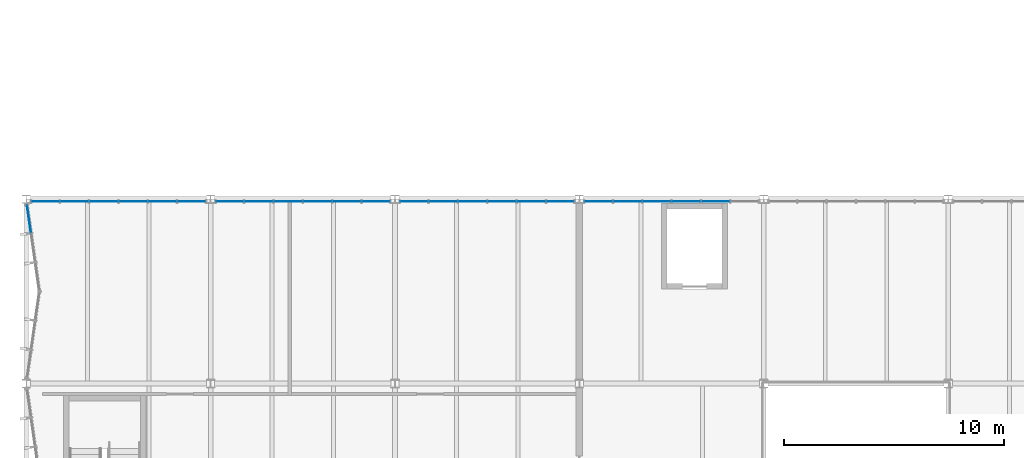
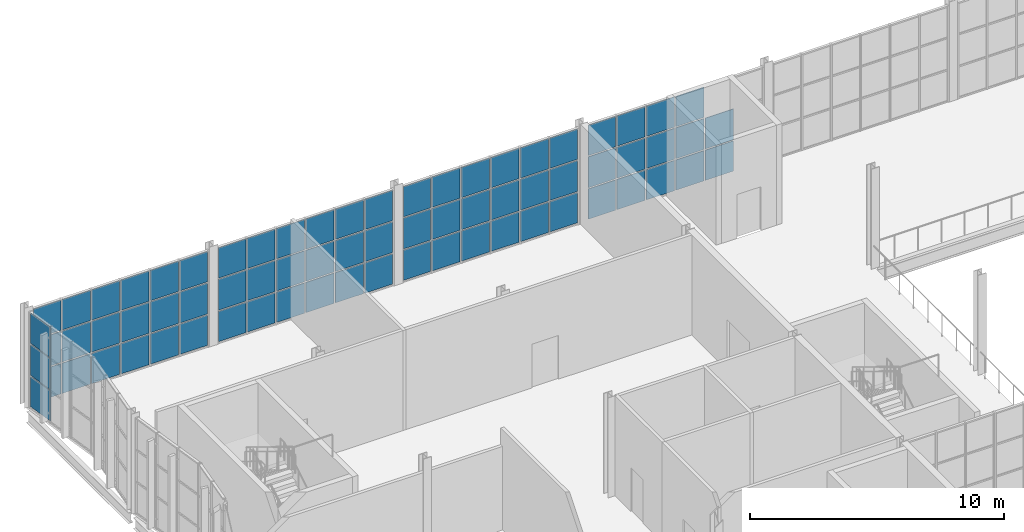
# One storey, part 61 of 127: 71 plates, 5 elements without a shape of their own.
"""IFC4 building model written with IfcOpenShell, lengths in metres."""

from ifc_helpers import new_model, si_unit, direction, frame, origin, origin_2d, place, context, subcontext, project, spatial, rectangle, extrude, material, layer, layer_set, type_object, element, aggregate, save


model = new_model("IFC4")

# Units and contexts
model_context = context("Model", 3, precision=1e-05, world=origin(), true_north=direction((0.0, 1.0)))
body_context = subcontext(model_context, "Body", "Model", "MODEL_VIEW")
ifc_project = project(units=[si_unit("LENGTHUNIT", "METRE"), si_unit("AREAUNIT", "SQUARE_METRE"), si_unit("VOLUMEUNIT", "CUBIC_METRE"), si_unit("PLANEANGLEUNIT", "RADIAN"), si_unit("MASSUNIT", "GRAM", prefix="KILO")], contexts=[model_context])

# Site, building, storey
site_placement = place(None, origin())
site = spatial("IfcSite", under=ifc_project, at=site_placement, CompositionType="ELEMENT")
building_placement = place(site_placement, origin())
building = spatial("IfcBuilding", under=site, at=building_placement, Name="Ljudholm Concert House", CompositionType="ELEMENT")
storey_placement = place(building_placement, frame((0.0, 0.0, 5.39990234375)))
storey = spatial("IfcBuildingStorey", under=building, at=storey_placement, Name="L01", CompositionType="ELEMENT", Elevation=5.39990234375)

# Curtain wall, plates
ifc_material_1 = material(Name="Aluminium curtain wall with impact-rated laminated glass", Category="aluminium")
curtain_wall_type = type_object("IfcCurtainWallType", Name="CURTAIN WALL 1400", PredefinedType="NOTDEFINED", material=ifc_material_1)
curtain_wall_1_placement = place(storey_placement, origin())
curtain_wall_1 = element("IfcCurtainWall", 1, at=curtain_wall_1_placement, inside=storey, type_object=curtain_wall_type, Name="Facade curtain wall", PredefinedType="NOTDEFINED")
ifc_material_2 = material(Name="Impact-rated laminated glass", Category="glass")
ifc_layer = layer(ifc_material_2, 0.028076171875)
ifc_layer_set = layer_set([ifc_layer], Name="Impact-rated laminated glass")
plate_type = type_object("IfcPlateType", Name="CURTAIN PANEL 28", PredefinedType="CURTAIN_PANEL", material=ifc_layer_set)
plate_1_placement = place(storey_placement, frame((4.1279296875, 129.103759765625, 0.06005859375), z_axis=(0.0, 0.0, 1.0), x_axis=(-0.141421356338, 0.989949493647, 0.0)))
plate_1 = element("IfcPlate", 2, at=plate_1_placement, type_object=plate_type, Name="Curtain wall panel", PredefinedType="CURTAIN_PANEL", context=body_context, shape_type="SweptSolid", body=[
    extrude(rectangle(XDim=1.2509765625, YDim=0.028076171875, at=origin_2d()), origin(), (0.0, 0.0, 1.0), 1.449951171875),
])
plate_2_placement = place(storey_placement, frame((4.1279296875, 129.103759765625, 1.570068359375), z_axis=(0.0, 0.0, 1.0), x_axis=(-0.141421356338, 0.989949493647, 0.0)))
plate_2 = element("IfcPlate", 3, at=plate_2_placement, type_object=plate_type, Name="Curtain wall panel", PredefinedType="CURTAIN_PANEL", context=body_context, shape_type="SweptSolid", body=[
    extrude(rectangle(XDim=1.2509765625, YDim=0.028076171875, at=origin_2d()), origin(), (0.0, 0.0, 1.0), 1.47998046875),
])
plate_3_placement = place(storey_placement, frame((4.1279296875, 129.103759765625, 3.1103515625), z_axis=(0.0, 0.0, 1.0), x_axis=(-0.141421356338, 0.989949493647, 0.0)))
plate_3 = element("IfcPlate", 4, at=plate_3_placement, type_object=plate_type, Name="Curtain wall panel", PredefinedType="CURTAIN_PANEL", context=body_context, shape_type="SweptSolid", body=[
    extrude(rectangle(XDim=1.2509765625, YDim=0.028076171875, at=origin_2d()), origin(), (0.0, 0.0, 1.0), 1.449951171875),
])
aggregate(curtain_wall_1, [plate_1, plate_2, plate_3])

curtain_wall_2_placement = place(storey_placement, origin())
curtain_wall_2 = element("IfcCurtainWall", 5, at=curtain_wall_2_placement, inside=storey, type_object=curtain_wall_type, Name="North curtain wall", PredefinedType="NOTDEFINED")
plate_4_placement = place(storey_placement, frame((4.87060546875, 129.89990234375, 0.06005859375), z_axis=(0.0, 0.0, 1.0), x_axis=(1.0, 0.0, 0.0)))
plate_4 = element("IfcPlate", 6, at=plate_4_placement, type_object=plate_type, Name="Curtain wall panel", PredefinedType="CURTAIN_PANEL", context=body_context, shape_type="SweptSolid", body=[
    extrude(rectangle(XDim=1.247802734375, YDim=0.028076171875, at=origin_2d()), origin(), (0.0, 0.0, 1.0), 1.449951171875),
])
plate_5_placement = place(storey_placement, frame((4.87060546875, 129.89990234375, 1.570068359375), z_axis=(0.0, 0.0, 1.0), x_axis=(1.0, 0.0, 0.0)))
plate_5 = element("IfcPlate", 7, at=plate_5_placement, type_object=plate_type, Name="Curtain wall panel", PredefinedType="CURTAIN_PANEL", context=body_context, shape_type="SweptSolid", body=[
    extrude(rectangle(XDim=1.247802734375, YDim=0.028076171875, at=origin_2d()), origin(), (0.0, 0.0, 1.0), 1.47998046875),
])
plate_6_placement = place(storey_placement, frame((4.87060546875, 129.89990234375, 3.1103515625), z_axis=(0.0, 0.0, 1.0), x_axis=(1.0, 0.0, 0.0)))
plate_6 = element("IfcPlate", 8, at=plate_6_placement, type_object=plate_type, Name="Curtain wall panel", PredefinedType="CURTAIN_PANEL", context=body_context, shape_type="SweptSolid", body=[
    extrude(rectangle(XDim=1.247802734375, YDim=0.028076171875, at=origin_2d()), origin(), (0.0, 0.0, 1.0), 1.449951171875),
])
plate_7_placement = place(storey_placement, frame((6.193359375, 129.89990234375, 0.06005859375), z_axis=(0.0, 0.0, 1.0), x_axis=(1.0, 0.0, 0.0)))
plate_7 = element("IfcPlate", 9, at=plate_7_placement, type_object=plate_type, Name="Curtain wall panel", PredefinedType="CURTAIN_PANEL", context=body_context, shape_type="SweptSolid", body=[
    extrude(rectangle(XDim=1.27783203125, YDim=0.028076171875, at=origin_2d()), origin(), (0.0, 0.0, 1.0), 1.449951171875),
])
plate_8_placement = place(storey_placement, frame((6.193359375, 129.89990234375, 1.570068359375), z_axis=(0.0, 0.0, 1.0), x_axis=(1.0, 0.0, 0.0)))
plate_8 = element("IfcPlate", 10, at=plate_8_placement, type_object=plate_type, Name="Curtain wall panel", PredefinedType="CURTAIN_PANEL", context=body_context, shape_type="SweptSolid", body=[
    extrude(rectangle(XDim=1.27783203125, YDim=0.028076171875, at=origin_2d()), origin(), (0.0, 0.0, 1.0), 1.47998046875),
])
plate_9_placement = place(storey_placement, frame((6.193359375, 129.89990234375, 3.1103515625), z_axis=(0.0, 0.0, 1.0), x_axis=(1.0, 0.0, 0.0)))
plate_9 = element("IfcPlate", 11, at=plate_9_placement, type_object=plate_type, Name="Curtain wall panel", PredefinedType="CURTAIN_PANEL", context=body_context, shape_type="SweptSolid", body=[
    extrude(rectangle(XDim=1.27783203125, YDim=0.028076171875, at=origin_2d()), origin(), (0.0, 0.0, 1.0), 1.449951171875),
])
plate_10_placement = place(storey_placement, frame((7.531005859375, 129.89990234375, 0.06005859375), z_axis=(0.0, 0.0, 1.0), x_axis=(1.0, 0.0, 0.0)))
plate_10 = element("IfcPlate", 12, at=plate_10_placement, type_object=plate_type, Name="Curtain wall panel", PredefinedType="CURTAIN_PANEL", context=body_context, shape_type="SweptSolid", body=[
    extrude(rectangle(XDim=1.27783203125, YDim=0.028076171875, at=origin_2d()), origin(), (0.0, 0.0, 1.0), 1.449951171875),
])
plate_11_placement = place(storey_placement, frame((7.531005859375, 129.89990234375, 1.570068359375), z_axis=(0.0, 0.0, 1.0), x_axis=(1.0, 0.0, 0.0)))
plate_11 = element("IfcPlate", 13, at=plate_11_placement, type_object=plate_type, Name="Curtain wall panel", PredefinedType="CURTAIN_PANEL", context=body_context, shape_type="SweptSolid", body=[
    extrude(rectangle(XDim=1.27783203125, YDim=0.028076171875, at=origin_2d()), origin(), (0.0, 0.0, 1.0), 1.47998046875),
])
plate_12_placement = place(storey_placement, frame((7.531005859375, 129.89990234375, 3.1103515625), z_axis=(0.0, 0.0, 1.0), x_axis=(1.0, 0.0, 0.0)))
plate_12 = element("IfcPlate", 14, at=plate_12_placement, type_object=plate_type, Name="Curtain wall panel", PredefinedType="CURTAIN_PANEL", context=body_context, shape_type="SweptSolid", body=[
    extrude(rectangle(XDim=1.27783203125, YDim=0.028076171875, at=origin_2d()), origin(), (0.0, 0.0, 1.0), 1.449951171875),
])
plate_13_placement = place(storey_placement, frame((8.868896484375, 129.89990234375, 0.06005859375), z_axis=(0.0, 0.0, 1.0), x_axis=(1.0, 0.0, 0.0)))
plate_13 = element("IfcPlate", 15, at=plate_13_placement, type_object=plate_type, Name="Curtain wall panel", PredefinedType="CURTAIN_PANEL", context=body_context, shape_type="SweptSolid", body=[
    extrude(rectangle(XDim=1.27783203125, YDim=0.028076171875, at=origin_2d()), origin(), (0.0, 0.0, 1.0), 1.449951171875),
])
plate_14_placement = place(storey_placement, frame((8.868896484375, 129.89990234375, 1.570068359375), z_axis=(0.0, 0.0, 1.0), x_axis=(1.0, 0.0, 0.0)))
plate_14 = element("IfcPlate", 16, at=plate_14_placement, type_object=plate_type, Name="Curtain wall panel", PredefinedType="CURTAIN_PANEL", context=body_context, shape_type="SweptSolid", body=[
    extrude(rectangle(XDim=1.27783203125, YDim=0.028076171875, at=origin_2d()), origin(), (0.0, 0.0, 1.0), 1.47998046875),
])
plate_15_placement = place(storey_placement, frame((8.868896484375, 129.89990234375, 3.1103515625), z_axis=(0.0, 0.0, 1.0), x_axis=(1.0, 0.0, 0.0)))
plate_15 = element("IfcPlate", 17, at=plate_15_placement, type_object=plate_type, Name="Curtain wall panel", PredefinedType="CURTAIN_PANEL", context=body_context, shape_type="SweptSolid", body=[
    extrude(rectangle(XDim=1.27783203125, YDim=0.028076171875, at=origin_2d()), origin(), (0.0, 0.0, 1.0), 1.449951171875),
])
plate_16_placement = place(storey_placement, frame((10.20654296875, 129.89990234375, 0.06005859375), z_axis=(0.0, 0.0, 1.0), x_axis=(1.0, 0.0, 0.0)))
plate_16 = element("IfcPlate", 18, at=plate_16_placement, type_object=plate_type, Name="Curtain wall panel", PredefinedType="CURTAIN_PANEL", context=body_context, shape_type="SweptSolid", body=[
    extrude(rectangle(XDim=1.27783203125, YDim=0.028076171875, at=origin_2d()), origin(), (0.0, 0.0, 1.0), 1.449951171875),
])
plate_17_placement = place(storey_placement, frame((10.20654296875, 129.89990234375, 1.570068359375), z_axis=(0.0, 0.0, 1.0), x_axis=(1.0, 0.0, 0.0)))
plate_17 = element("IfcPlate", 19, at=plate_17_placement, type_object=plate_type, Name="Curtain wall panel", PredefinedType="CURTAIN_PANEL", context=body_context, shape_type="SweptSolid", body=[
    extrude(rectangle(XDim=1.27783203125, YDim=0.028076171875, at=origin_2d()), origin(), (0.0, 0.0, 1.0), 1.47998046875),
])
plate_18_placement = place(storey_placement, frame((10.20654296875, 129.89990234375, 3.1103515625), z_axis=(0.0, 0.0, 1.0), x_axis=(1.0, 0.0, 0.0)))
plate_18 = element("IfcPlate", 20, at=plate_18_placement, type_object=plate_type, Name="Curtain wall panel", PredefinedType="CURTAIN_PANEL", context=body_context, shape_type="SweptSolid", body=[
    extrude(rectangle(XDim=1.27783203125, YDim=0.028076171875, at=origin_2d()), origin(), (0.0, 0.0, 1.0), 1.449951171875),
])
plate_19_placement = place(storey_placement, frame((11.529541015625, 129.89990234375, 0.06005859375), z_axis=(0.0, 0.0, 1.0), x_axis=(1.0, 0.0, 0.0)))
plate_19 = element("IfcPlate", 21, at=plate_19_placement, type_object=plate_type, Name="Curtain wall panel", PredefinedType="CURTAIN_PANEL", context=body_context, shape_type="SweptSolid", body=[
    extrude(rectangle(XDim=1.247802734375, YDim=0.028076171875, at=origin_2d()), origin(), (0.0, 0.0, 1.0), 1.449951171875),
])
plate_20_placement = place(storey_placement, frame((11.529541015625, 129.89990234375, 1.570068359375), z_axis=(0.0, 0.0, 1.0), x_axis=(1.0, 0.0, 0.0)))
plate_20 = element("IfcPlate", 22, at=plate_20_placement, type_object=plate_type, Name="Curtain wall panel", PredefinedType="CURTAIN_PANEL", context=body_context, shape_type="SweptSolid", body=[
    extrude(rectangle(XDim=1.247802734375, YDim=0.028076171875, at=origin_2d()), origin(), (0.0, 0.0, 1.0), 1.47998046875),
])
plate_21_placement = place(storey_placement, frame((11.529541015625, 129.89990234375, 3.1103515625), z_axis=(0.0, 0.0, 1.0), x_axis=(1.0, 0.0, 0.0)))
plate_21 = element("IfcPlate", 23, at=plate_21_placement, type_object=plate_type, Name="Curtain wall panel", PredefinedType="CURTAIN_PANEL", context=body_context, shape_type="SweptSolid", body=[
    extrude(rectangle(XDim=1.247802734375, YDim=0.028076171875, at=origin_2d()), origin(), (0.0, 0.0, 1.0), 1.449951171875),
])
aggregate(curtain_wall_2, [plate_4, plate_5, plate_6, plate_7, plate_8, plate_9, plate_10, plate_11, plate_12, plate_13, plate_14, plate_15, plate_16, plate_17, plate_18, plate_19, plate_20, plate_21])

curtain_wall_3_placement = place(storey_placement, origin())
curtain_wall_3 = element("IfcCurtainWall", 24, at=curtain_wall_3_placement, inside=storey, type_object=curtain_wall_type, Name="North curtain wall", PredefinedType="NOTDEFINED")
plate_22_placement = place(storey_placement, frame((13.2705078125, 129.89990234375, 0.06005859375), z_axis=(0.0, 0.0, 1.0), x_axis=(1.0, 0.0, 0.0)))
plate_22 = element("IfcPlate", 25, at=plate_22_placement, type_object=plate_type, Name="Curtain wall panel", PredefinedType="CURTAIN_PANEL", context=body_context, shape_type="SweptSolid", body=[
    extrude(rectangle(XDim=1.247802734375, YDim=0.028076171875, at=origin_2d()), origin(), (0.0, 0.0, 1.0), 1.449951171875),
])
plate_23_placement = place(storey_placement, frame((13.2705078125, 129.89990234375, 1.570068359375), z_axis=(0.0, 0.0, 1.0), x_axis=(1.0, 0.0, 0.0)))
plate_23 = element("IfcPlate", 26, at=plate_23_placement, type_object=plate_type, Name="Curtain wall panel", PredefinedType="CURTAIN_PANEL", context=body_context, shape_type="SweptSolid", body=[
    extrude(rectangle(XDim=1.247802734375, YDim=0.028076171875, at=origin_2d()), origin(), (0.0, 0.0, 1.0), 1.47998046875),
])
plate_24_placement = place(storey_placement, frame((13.2705078125, 129.89990234375, 3.1103515625), z_axis=(0.0, 0.0, 1.0), x_axis=(1.0, 0.0, 0.0)))
plate_24 = element("IfcPlate", 27, at=plate_24_placement, type_object=plate_type, Name="Curtain wall panel", PredefinedType="CURTAIN_PANEL", context=body_context, shape_type="SweptSolid", body=[
    extrude(rectangle(XDim=1.247802734375, YDim=0.028076171875, at=origin_2d()), origin(), (0.0, 0.0, 1.0), 1.449951171875),
])
plate_25_placement = place(storey_placement, frame((14.59326171875, 129.89990234375, 0.06005859375), z_axis=(0.0, 0.0, 1.0), x_axis=(1.0, 0.0, 0.0)))
plate_25 = element("IfcPlate", 28, at=plate_25_placement, type_object=plate_type, Name="Curtain wall panel", PredefinedType="CURTAIN_PANEL", context=body_context, shape_type="SweptSolid", body=[
    extrude(rectangle(XDim=1.27783203125, YDim=0.028076171875, at=origin_2d()), origin(), (0.0, 0.0, 1.0), 1.449951171875),
])
plate_26_placement = place(storey_placement, frame((14.59326171875, 129.89990234375, 1.570068359375), z_axis=(0.0, 0.0, 1.0), x_axis=(1.0, 0.0, 0.0)))
plate_26 = element("IfcPlate", 29, at=plate_26_placement, type_object=plate_type, Name="Curtain wall panel", PredefinedType="CURTAIN_PANEL", context=body_context, shape_type="SweptSolid", body=[
    extrude(rectangle(XDim=1.27783203125, YDim=0.028076171875, at=origin_2d()), origin(), (0.0, 0.0, 1.0), 1.47998046875),
])
plate_27_placement = place(storey_placement, frame((14.59326171875, 129.89990234375, 3.1103515625), z_axis=(0.0, 0.0, 1.0), x_axis=(1.0, 0.0, 0.0)))
plate_27 = element("IfcPlate", 30, at=plate_27_placement, type_object=plate_type, Name="Curtain wall panel", PredefinedType="CURTAIN_PANEL", context=body_context, shape_type="SweptSolid", body=[
    extrude(rectangle(XDim=1.27783203125, YDim=0.028076171875, at=origin_2d()), origin(), (0.0, 0.0, 1.0), 1.449951171875),
])
plate_28_placement = place(storey_placement, frame((15.93115234375, 129.89990234375, 0.06005859375), z_axis=(0.0, 0.0, 1.0), x_axis=(1.0, 0.0, 0.0)))
plate_28 = element("IfcPlate", 31, at=plate_28_placement, type_object=plate_type, Name="Curtain wall panel", PredefinedType="CURTAIN_PANEL", context=body_context, shape_type="SweptSolid", body=[
    extrude(rectangle(XDim=1.27783203125, YDim=0.028076171875, at=origin_2d()), origin(), (0.0, 0.0, 1.0), 1.449951171875),
])
plate_29_placement = place(storey_placement, frame((15.93115234375, 129.89990234375, 1.570068359375), z_axis=(0.0, 0.0, 1.0), x_axis=(1.0, 0.0, 0.0)))
plate_29 = element("IfcPlate", 32, at=plate_29_placement, type_object=plate_type, Name="Curtain wall panel", PredefinedType="CURTAIN_PANEL", context=body_context, shape_type="SweptSolid", body=[
    extrude(rectangle(XDim=1.27783203125, YDim=0.028076171875, at=origin_2d()), origin(), (0.0, 0.0, 1.0), 1.47998046875),
])
plate_30_placement = place(storey_placement, frame((15.93115234375, 129.89990234375, 3.1103515625), z_axis=(0.0, 0.0, 1.0), x_axis=(1.0, 0.0, 0.0)))
plate_30 = element("IfcPlate", 33, at=plate_30_placement, type_object=plate_type, Name="Curtain wall panel", PredefinedType="CURTAIN_PANEL", context=body_context, shape_type="SweptSolid", body=[
    extrude(rectangle(XDim=1.27783203125, YDim=0.028076171875, at=origin_2d()), origin(), (0.0, 0.0, 1.0), 1.449951171875),
])
plate_31_placement = place(storey_placement, frame((17.268798828125, 129.89990234375, 0.06005859375), z_axis=(0.0, 0.0, 1.0), x_axis=(1.0, 0.0, 0.0)))
plate_31 = element("IfcPlate", 34, at=plate_31_placement, type_object=plate_type, Name="Curtain wall panel", PredefinedType="CURTAIN_PANEL", context=body_context, shape_type="SweptSolid", body=[
    extrude(rectangle(XDim=1.27783203125, YDim=0.028076171875, at=origin_2d()), origin(), (0.0, 0.0, 1.0), 1.449951171875),
])
plate_32_placement = place(storey_placement, frame((17.268798828125, 129.89990234375, 1.570068359375), z_axis=(0.0, 0.0, 1.0), x_axis=(1.0, 0.0, 0.0)))
plate_32 = element("IfcPlate", 35, at=plate_32_placement, type_object=plate_type, Name="Curtain wall panel", PredefinedType="CURTAIN_PANEL", context=body_context, shape_type="SweptSolid", body=[
    extrude(rectangle(XDim=1.27783203125, YDim=0.028076171875, at=origin_2d()), origin(), (0.0, 0.0, 1.0), 1.47998046875),
])
plate_33_placement = place(storey_placement, frame((17.268798828125, 129.89990234375, 3.1103515625), z_axis=(0.0, 0.0, 1.0), x_axis=(1.0, 0.0, 0.0)))
plate_33 = element("IfcPlate", 36, at=plate_33_placement, type_object=plate_type, Name="Curtain wall panel", PredefinedType="CURTAIN_PANEL", context=body_context, shape_type="SweptSolid", body=[
    extrude(rectangle(XDim=1.27783203125, YDim=0.028076171875, at=origin_2d()), origin(), (0.0, 0.0, 1.0), 1.449951171875),
])
plate_34_placement = place(storey_placement, frame((18.606689453125, 129.89990234375, 0.06005859375), z_axis=(0.0, 0.0, 1.0), x_axis=(1.0, 0.0, 0.0)))
plate_34 = element("IfcPlate", 37, at=plate_34_placement, type_object=plate_type, Name="Curtain wall panel", PredefinedType="CURTAIN_PANEL", context=body_context, shape_type="SweptSolid", body=[
    extrude(rectangle(XDim=1.27783203125, YDim=0.028076171875, at=origin_2d()), origin(), (0.0, 0.0, 1.0), 1.449951171875),
])
plate_35_placement = place(storey_placement, frame((18.606689453125, 129.89990234375, 1.570068359375), z_axis=(0.0, 0.0, 1.0), x_axis=(1.0, 0.0, 0.0)))
plate_35 = element("IfcPlate", 38, at=plate_35_placement, type_object=plate_type, Name="Curtain wall panel", PredefinedType="CURTAIN_PANEL", context=body_context, shape_type="SweptSolid", body=[
    extrude(rectangle(XDim=1.27783203125, YDim=0.028076171875, at=origin_2d()), origin(), (0.0, 0.0, 1.0), 1.47998046875),
])
plate_36_placement = place(storey_placement, frame((18.606689453125, 129.89990234375, 3.1103515625), z_axis=(0.0, 0.0, 1.0), x_axis=(1.0, 0.0, 0.0)))
plate_36 = element("IfcPlate", 39, at=plate_36_placement, type_object=plate_type, Name="Curtain wall panel", PredefinedType="CURTAIN_PANEL", context=body_context, shape_type="SweptSolid", body=[
    extrude(rectangle(XDim=1.27783203125, YDim=0.028076171875, at=origin_2d()), origin(), (0.0, 0.0, 1.0), 1.449951171875),
])
plate_37_placement = place(storey_placement, frame((19.929443359375, 129.89990234375, 0.06005859375), z_axis=(0.0, 0.0, 1.0), x_axis=(1.0, 0.0, 0.0)))
plate_37 = element("IfcPlate", 40, at=plate_37_placement, type_object=plate_type, Name="Curtain wall panel", PredefinedType="CURTAIN_PANEL", context=body_context, shape_type="SweptSolid", body=[
    extrude(rectangle(XDim=1.247802734375, YDim=0.028076171875, at=origin_2d()), origin(), (0.0, 0.0, 1.0), 1.449951171875),
])
plate_38_placement = place(storey_placement, frame((19.929443359375, 129.89990234375, 1.570068359375), z_axis=(0.0, 0.0, 1.0), x_axis=(1.0, 0.0, 0.0)))
plate_38 = element("IfcPlate", 41, at=plate_38_placement, type_object=plate_type, Name="Curtain wall panel", PredefinedType="CURTAIN_PANEL", context=body_context, shape_type="SweptSolid", body=[
    extrude(rectangle(XDim=1.247802734375, YDim=0.028076171875, at=origin_2d()), origin(), (0.0, 0.0, 1.0), 1.47998046875),
])
plate_39_placement = place(storey_placement, frame((19.929443359375, 129.89990234375, 3.1103515625), z_axis=(0.0, 0.0, 1.0), x_axis=(1.0, 0.0, 0.0)))
plate_39 = element("IfcPlate", 42, at=plate_39_placement, type_object=plate_type, Name="Curtain wall panel", PredefinedType="CURTAIN_PANEL", context=body_context, shape_type="SweptSolid", body=[
    extrude(rectangle(XDim=1.247802734375, YDim=0.028076171875, at=origin_2d()), origin(), (0.0, 0.0, 1.0), 1.449951171875),
])
aggregate(curtain_wall_3, [plate_22, plate_23, plate_24, plate_25, plate_26, plate_27, plate_28, plate_29, plate_30, plate_31, plate_32, plate_33, plate_34, plate_35, plate_36, plate_37, plate_38, plate_39])

curtain_wall_4_placement = place(storey_placement, origin())
curtain_wall_4 = element("IfcCurtainWall", 43, at=curtain_wall_4_placement, inside=storey, type_object=curtain_wall_type, Name="North curtain wall", PredefinedType="NOTDEFINED")
plate_40_placement = place(storey_placement, frame((21.670654296875, 129.89990234375, 0.06005859375), z_axis=(0.0, 0.0, 1.0), x_axis=(1.0, 0.0, 0.0)))
plate_40 = element("IfcPlate", 44, at=plate_40_placement, type_object=plate_type, Name="Curtain wall panel", PredefinedType="CURTAIN_PANEL", context=body_context, shape_type="SweptSolid", body=[
    extrude(rectangle(XDim=1.247802734375, YDim=0.028076171875, at=origin_2d()), origin(), (0.0, 0.0, 1.0), 1.449951171875),
])
plate_41_placement = place(storey_placement, frame((21.670654296875, 129.89990234375, 1.570068359375), z_axis=(0.0, 0.0, 1.0), x_axis=(1.0, 0.0, 0.0)))
plate_41 = element("IfcPlate", 45, at=plate_41_placement, type_object=plate_type, Name="Curtain wall panel", PredefinedType="CURTAIN_PANEL", context=body_context, shape_type="SweptSolid", body=[
    extrude(rectangle(XDim=1.247802734375, YDim=0.028076171875, at=origin_2d()), origin(), (0.0, 0.0, 1.0), 1.47998046875),
])
plate_42_placement = place(storey_placement, frame((21.670654296875, 129.89990234375, 3.1103515625), z_axis=(0.0, 0.0, 1.0), x_axis=(1.0, 0.0, 0.0)))
plate_42 = element("IfcPlate", 46, at=plate_42_placement, type_object=plate_type, Name="Curtain wall panel", PredefinedType="CURTAIN_PANEL", context=body_context, shape_type="SweptSolid", body=[
    extrude(rectangle(XDim=1.247802734375, YDim=0.028076171875, at=origin_2d()), origin(), (0.0, 0.0, 1.0), 1.449951171875),
])
plate_43_placement = place(storey_placement, frame((22.993408203125, 129.89990234375, 0.06005859375), z_axis=(0.0, 0.0, 1.0), x_axis=(1.0, 0.0, 0.0)))
plate_43 = element("IfcPlate", 47, at=plate_43_placement, type_object=plate_type, Name="Curtain wall panel", PredefinedType="CURTAIN_PANEL", context=body_context, shape_type="SweptSolid", body=[
    extrude(rectangle(XDim=1.27783203125, YDim=0.028076171875, at=origin_2d()), origin(), (0.0, 0.0, 1.0), 1.449951171875),
])
plate_44_placement = place(storey_placement, frame((22.993408203125, 129.89990234375, 1.570068359375), z_axis=(0.0, 0.0, 1.0), x_axis=(1.0, 0.0, 0.0)))
plate_44 = element("IfcPlate", 48, at=plate_44_placement, type_object=plate_type, Name="Curtain wall panel", PredefinedType="CURTAIN_PANEL", context=body_context, shape_type="SweptSolid", body=[
    extrude(rectangle(XDim=1.27783203125, YDim=0.028076171875, at=origin_2d()), origin(), (0.0, 0.0, 1.0), 1.47998046875),
])
plate_45_placement = place(storey_placement, frame((22.993408203125, 129.89990234375, 3.1103515625), z_axis=(0.0, 0.0, 1.0), x_axis=(1.0, 0.0, 0.0)))
plate_45 = element("IfcPlate", 49, at=plate_45_placement, type_object=plate_type, Name="Curtain wall panel", PredefinedType="CURTAIN_PANEL", context=body_context, shape_type="SweptSolid", body=[
    extrude(rectangle(XDim=1.27783203125, YDim=0.028076171875, at=origin_2d()), origin(), (0.0, 0.0, 1.0), 1.449951171875),
])
plate_46_placement = place(storey_placement, frame((24.3310546875, 129.89990234375, 0.06005859375), z_axis=(0.0, 0.0, 1.0), x_axis=(1.0, 0.0, 0.0)))
plate_46 = element("IfcPlate", 50, at=plate_46_placement, type_object=plate_type, Name="Curtain wall panel", PredefinedType="CURTAIN_PANEL", context=body_context, shape_type="SweptSolid", body=[
    extrude(rectangle(XDim=1.27783203125, YDim=0.028076171875, at=origin_2d()), origin(), (0.0, 0.0, 1.0), 1.449951171875),
])
plate_47_placement = place(storey_placement, frame((24.3310546875, 129.89990234375, 1.570068359375), z_axis=(0.0, 0.0, 1.0), x_axis=(1.0, 0.0, 0.0)))
plate_47 = element("IfcPlate", 51, at=plate_47_placement, type_object=plate_type, Name="Curtain wall panel", PredefinedType="CURTAIN_PANEL", context=body_context, shape_type="SweptSolid", body=[
    extrude(rectangle(XDim=1.27783203125, YDim=0.028076171875, at=origin_2d()), origin(), (0.0, 0.0, 1.0), 1.47998046875),
])
plate_48_placement = place(storey_placement, frame((24.3310546875, 129.89990234375, 3.1103515625), z_axis=(0.0, 0.0, 1.0), x_axis=(1.0, 0.0, 0.0)))
plate_48 = element("IfcPlate", 52, at=plate_48_placement, type_object=plate_type, Name="Curtain wall panel", PredefinedType="CURTAIN_PANEL", context=body_context, shape_type="SweptSolid", body=[
    extrude(rectangle(XDim=1.27783203125, YDim=0.028076171875, at=origin_2d()), origin(), (0.0, 0.0, 1.0), 1.449951171875),
])
plate_49_placement = place(storey_placement, frame((25.6689453125, 129.89990234375, 0.06005859375), z_axis=(0.0, 0.0, 1.0), x_axis=(1.0, 0.0, 0.0)))
plate_49 = element("IfcPlate", 53, at=plate_49_placement, type_object=plate_type, Name="Curtain wall panel", PredefinedType="CURTAIN_PANEL", context=body_context, shape_type="SweptSolid", body=[
    extrude(rectangle(XDim=1.27783203125, YDim=0.028076171875, at=origin_2d()), origin(), (0.0, 0.0, 1.0), 1.449951171875),
])
plate_50_placement = place(storey_placement, frame((25.6689453125, 129.89990234375, 1.570068359375), z_axis=(0.0, 0.0, 1.0), x_axis=(1.0, 0.0, 0.0)))
plate_50 = element("IfcPlate", 54, at=plate_50_placement, type_object=plate_type, Name="Curtain wall panel", PredefinedType="CURTAIN_PANEL", context=body_context, shape_type="SweptSolid", body=[
    extrude(rectangle(XDim=1.27783203125, YDim=0.028076171875, at=origin_2d()), origin(), (0.0, 0.0, 1.0), 1.47998046875),
])
plate_51_placement = place(storey_placement, frame((25.6689453125, 129.89990234375, 3.1103515625), z_axis=(0.0, 0.0, 1.0), x_axis=(1.0, 0.0, 0.0)))
plate_51 = element("IfcPlate", 55, at=plate_51_placement, type_object=plate_type, Name="Curtain wall panel", PredefinedType="CURTAIN_PANEL", context=body_context, shape_type="SweptSolid", body=[
    extrude(rectangle(XDim=1.27783203125, YDim=0.028076171875, at=origin_2d()), origin(), (0.0, 0.0, 1.0), 1.449951171875),
])
plate_52_placement = place(storey_placement, frame((27.006591796875, 129.89990234375, 0.06005859375), z_axis=(0.0, 0.0, 1.0), x_axis=(1.0, 0.0, 0.0)))
plate_52 = element("IfcPlate", 56, at=plate_52_placement, type_object=plate_type, Name="Curtain wall panel", PredefinedType="CURTAIN_PANEL", context=body_context, shape_type="SweptSolid", body=[
    extrude(rectangle(XDim=1.27783203125, YDim=0.028076171875, at=origin_2d()), origin(), (0.0, 0.0, 1.0), 1.449951171875),
])
plate_53_placement = place(storey_placement, frame((27.006591796875, 129.89990234375, 1.570068359375), z_axis=(0.0, 0.0, 1.0), x_axis=(1.0, 0.0, 0.0)))
plate_53 = element("IfcPlate", 57, at=plate_53_placement, type_object=plate_type, Name="Curtain wall panel", PredefinedType="CURTAIN_PANEL", context=body_context, shape_type="SweptSolid", body=[
    extrude(rectangle(XDim=1.27783203125, YDim=0.028076171875, at=origin_2d()), origin(), (0.0, 0.0, 1.0), 1.47998046875),
])
plate_54_placement = place(storey_placement, frame((27.006591796875, 129.89990234375, 3.1103515625), z_axis=(0.0, 0.0, 1.0), x_axis=(1.0, 0.0, 0.0)))
plate_54 = element("IfcPlate", 58, at=plate_54_placement, type_object=plate_type, Name="Curtain wall panel", PredefinedType="CURTAIN_PANEL", context=body_context, shape_type="SweptSolid", body=[
    extrude(rectangle(XDim=1.27783203125, YDim=0.028076171875, at=origin_2d()), origin(), (0.0, 0.0, 1.0), 1.449951171875),
])
plate_55_placement = place(storey_placement, frame((28.329345703125, 129.89990234375, 0.06005859375), z_axis=(0.0, 0.0, 1.0), x_axis=(1.0, 0.0, 0.0)))
plate_55 = element("IfcPlate", 59, at=plate_55_placement, type_object=plate_type, Name="Curtain wall panel", PredefinedType="CURTAIN_PANEL", context=body_context, shape_type="SweptSolid", body=[
    extrude(rectangle(XDim=1.247802734375, YDim=0.028076171875, at=origin_2d()), origin(), (0.0, 0.0, 1.0), 1.449951171875),
])
plate_56_placement = place(storey_placement, frame((28.329345703125, 129.89990234375, 1.570068359375), z_axis=(0.0, 0.0, 1.0), x_axis=(1.0, 0.0, 0.0)))
plate_56 = element("IfcPlate", 60, at=plate_56_placement, type_object=plate_type, Name="Curtain wall panel", PredefinedType="CURTAIN_PANEL", context=body_context, shape_type="SweptSolid", body=[
    extrude(rectangle(XDim=1.247802734375, YDim=0.028076171875, at=origin_2d()), origin(), (0.0, 0.0, 1.0), 1.47998046875),
])
plate_57_placement = place(storey_placement, frame((28.329345703125, 129.89990234375, 3.1103515625), z_axis=(0.0, 0.0, 1.0), x_axis=(1.0, 0.0, 0.0)))
plate_57 = element("IfcPlate", 61, at=plate_57_placement, type_object=plate_type, Name="Curtain wall panel", PredefinedType="CURTAIN_PANEL", context=body_context, shape_type="SweptSolid", body=[
    extrude(rectangle(XDim=1.247802734375, YDim=0.028076171875, at=origin_2d()), origin(), (0.0, 0.0, 1.0), 1.449951171875),
])
aggregate(curtain_wall_4, [plate_40, plate_41, plate_42, plate_43, plate_44, plate_45, plate_46, plate_47, plate_48, plate_49, plate_50, plate_51, plate_52, plate_53, plate_54, plate_55, plate_56, plate_57])

curtain_wall_5_placement = place(storey_placement, origin())
curtain_wall_5 = element("IfcCurtainWall", 62, at=curtain_wall_5_placement, inside=storey, type_object=curtain_wall_type, Name="North curtain wall", PredefinedType="NOTDEFINED")
plate_58_placement = place(storey_placement, frame((30.0732421875, 129.89990234375, 0.06005859375), z_axis=(0.0, 0.0, 1.0), x_axis=(1.0, 0.0, 0.0)))
plate_58 = element("IfcPlate", 63, at=plate_58_placement, type_object=plate_type, Name="Curtain wall panel", PredefinedType="CURTAIN_PANEL", context=body_context, shape_type="SweptSolid", body=[
    extrude(rectangle(XDim=1.24658203125, YDim=0.028076171875, at=origin_2d()), origin(), (0.0, 0.0, 1.0), 1.449951171875),
])
plate_59_placement = place(storey_placement, frame((30.0732421875, 129.89990234375, 1.570068359375), z_axis=(0.0, 0.0, 1.0), x_axis=(1.0, 0.0, 0.0)))
plate_59 = element("IfcPlate", 64, at=plate_59_placement, type_object=plate_type, Name="Curtain wall panel", PredefinedType="CURTAIN_PANEL", context=body_context, shape_type="SweptSolid", body=[
    extrude(rectangle(XDim=1.24658203125, YDim=0.028076171875, at=origin_2d()), origin(), (0.0, 0.0, 1.0), 1.47998046875),
])
plate_60_placement = place(storey_placement, frame((30.0732421875, 129.89990234375, 3.1103515625), z_axis=(0.0, 0.0, 1.0), x_axis=(1.0, 0.0, 0.0)))
plate_60 = element("IfcPlate", 65, at=plate_60_placement, type_object=plate_type, Name="Curtain wall panel", PredefinedType="CURTAIN_PANEL", context=body_context, shape_type="SweptSolid", body=[
    extrude(rectangle(XDim=1.24658203125, YDim=0.028076171875, at=origin_2d()), origin(), (0.0, 0.0, 1.0), 1.449951171875),
])
plate_61_placement = place(storey_placement, frame((31.39501953125, 129.89990234375, 0.06005859375), z_axis=(0.0, 0.0, 1.0), x_axis=(1.0, 0.0, 0.0)))
plate_61 = element("IfcPlate", 66, at=plate_61_placement, type_object=plate_type, Name="Curtain wall panel", PredefinedType="CURTAIN_PANEL", context=body_context, shape_type="SweptSolid", body=[
    extrude(rectangle(XDim=1.276611328125, YDim=0.028076171875, at=origin_2d()), origin(), (0.0, 0.0, 1.0), 1.449951171875),
])
plate_62_placement = place(storey_placement, frame((31.39501953125, 129.89990234375, 1.570068359375), z_axis=(0.0, 0.0, 1.0), x_axis=(1.0, 0.0, 0.0)))
plate_62 = element("IfcPlate", 67, at=plate_62_placement, type_object=plate_type, Name="Curtain wall panel", PredefinedType="CURTAIN_PANEL", context=body_context, shape_type="SweptSolid", body=[
    extrude(rectangle(XDim=1.276611328125, YDim=0.028076171875, at=origin_2d()), origin(), (0.0, 0.0, 1.0), 1.47998046875),
])
plate_63_placement = place(storey_placement, frame((31.39501953125, 129.89990234375, 3.1103515625), z_axis=(0.0, 0.0, 1.0), x_axis=(1.0, 0.0, 0.0)))
plate_63 = element("IfcPlate", 68, at=plate_63_placement, type_object=plate_type, Name="Curtain wall panel", PredefinedType="CURTAIN_PANEL", context=body_context, shape_type="SweptSolid", body=[
    extrude(rectangle(XDim=1.276611328125, YDim=0.028076171875, at=origin_2d()), origin(), (0.0, 0.0, 1.0), 1.449951171875),
])
plate_64_placement = place(storey_placement, frame((32.731689453125, 129.89990234375, 0.06005859375), z_axis=(0.0, 0.0, 1.0), x_axis=(1.0, 0.0, 0.0)))
plate_64 = element("IfcPlate", 69, at=plate_64_placement, type_object=plate_type, Name="Curtain wall panel", PredefinedType="CURTAIN_PANEL", context=body_context, shape_type="SweptSolid", body=[
    extrude(rectangle(XDim=1.276611328125, YDim=0.028076171875, at=origin_2d()), origin(), (0.0, 0.0, 1.0), 1.449951171875),
])
plate_65_placement = place(storey_placement, frame((32.731689453125, 129.89990234375, 1.570068359375), z_axis=(0.0, 0.0, 1.0), x_axis=(1.0, 0.0, 0.0)))
plate_65 = element("IfcPlate", 70, at=plate_65_placement, type_object=plate_type, Name="Curtain wall panel", PredefinedType="CURTAIN_PANEL", context=body_context, shape_type="SweptSolid", body=[
    extrude(rectangle(XDim=1.276611328125, YDim=0.028076171875, at=origin_2d()), origin(), (0.0, 0.0, 1.0), 1.47998046875),
])
plate_66_placement = place(storey_placement, frame((32.731689453125, 129.89990234375, 3.1103515625), z_axis=(0.0, 0.0, 1.0), x_axis=(1.0, 0.0, 0.0)))
plate_66 = element("IfcPlate", 71, at=plate_66_placement, type_object=plate_type, Name="Curtain wall panel", PredefinedType="CURTAIN_PANEL", context=body_context, shape_type="SweptSolid", body=[
    extrude(rectangle(XDim=1.276611328125, YDim=0.028076171875, at=origin_2d()), origin(), (0.0, 0.0, 1.0), 1.449951171875),
])
plate_67_placement = place(storey_placement, frame((34.068359375, 129.89990234375, 0.06005859375), z_axis=(0.0, 0.0, 1.0), x_axis=(1.0, 0.0, 0.0)))
plate_67 = element("IfcPlate", 72, at=plate_67_placement, type_object=plate_type, Name="Curtain wall panel", PredefinedType="CURTAIN_PANEL", context=body_context, shape_type="SweptSolid", body=[
    extrude(rectangle(XDim=1.276611328125, YDim=0.028076171875, at=origin_2d()), origin(), (0.0, 0.0, 1.0), 1.449951171875),
])
plate_68_placement = place(storey_placement, frame((34.068359375, 129.89990234375, 1.570068359375), z_axis=(0.0, 0.0, 1.0), x_axis=(1.0, 0.0, 0.0)))
plate_68 = element("IfcPlate", 73, at=plate_68_placement, type_object=plate_type, Name="Curtain wall panel", PredefinedType="CURTAIN_PANEL", context=body_context, shape_type="SweptSolid", body=[
    extrude(rectangle(XDim=1.276611328125, YDim=0.028076171875, at=origin_2d()), origin(), (0.0, 0.0, 1.0), 1.47998046875),
])
plate_69_placement = place(storey_placement, frame((34.068359375, 129.89990234375, 3.1103515625), z_axis=(0.0, 0.0, 1.0), x_axis=(1.0, 0.0, 0.0)))
plate_69 = element("IfcPlate", 74, at=plate_69_placement, type_object=plate_type, Name="Curtain wall panel", PredefinedType="CURTAIN_PANEL", context=body_context, shape_type="SweptSolid", body=[
    extrude(rectangle(XDim=1.276611328125, YDim=0.028076171875, at=origin_2d()), origin(), (0.0, 0.0, 1.0), 1.449951171875),
])
plate_70_placement = place(storey_placement, frame((35.405029296875, 129.89990234375, 0.06005859375), z_axis=(0.0, 0.0, 1.0), x_axis=(1.0, 0.0, 0.0)))
plate_70 = element("IfcPlate", 75, at=plate_70_placement, type_object=plate_type, Name="Curtain wall panel", PredefinedType="CURTAIN_PANEL", context=body_context, shape_type="SweptSolid", body=[
    extrude(rectangle(XDim=1.276611328125, YDim=0.028076171875, at=origin_2d()), origin(), (0.0, 0.0, 1.0), 1.449951171875),
])
plate_71_placement = place(storey_placement, frame((35.405029296875, 129.89990234375, 1.570068359375), z_axis=(0.0, 0.0, 1.0), x_axis=(1.0, 0.0, 0.0)))
plate_71 = element("IfcPlate", 76, at=plate_71_placement, type_object=plate_type, Name="Curtain wall panel", PredefinedType="CURTAIN_PANEL", context=body_context, shape_type="SweptSolid", body=[
    extrude(rectangle(XDim=1.276611328125, YDim=0.028076171875, at=origin_2d()), origin(), (0.0, 0.0, 1.0), 1.47998046875),
])
aggregate(curtain_wall_5, [plate_58, plate_59, plate_60, plate_61, plate_62, plate_63, plate_64, plate_65, plate_66, plate_67, plate_68, plate_69, plate_70, plate_71])

save(model, "model.ifc")
